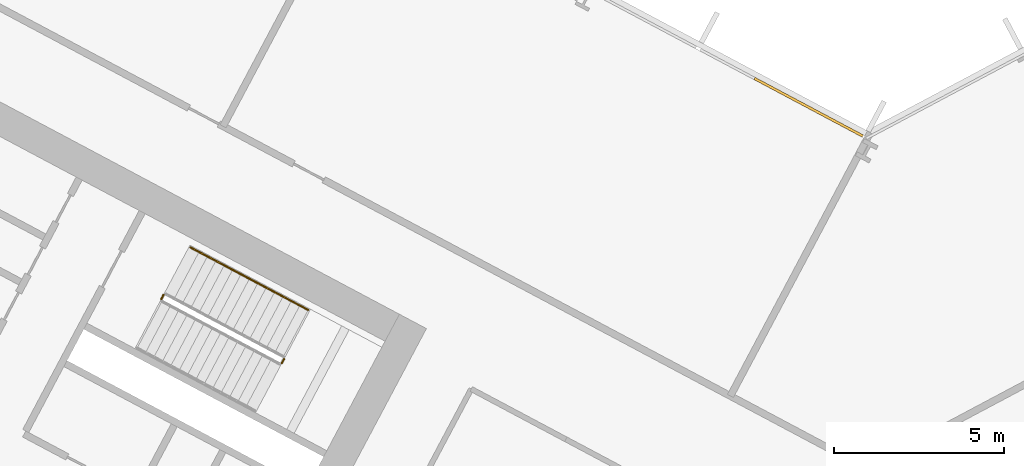
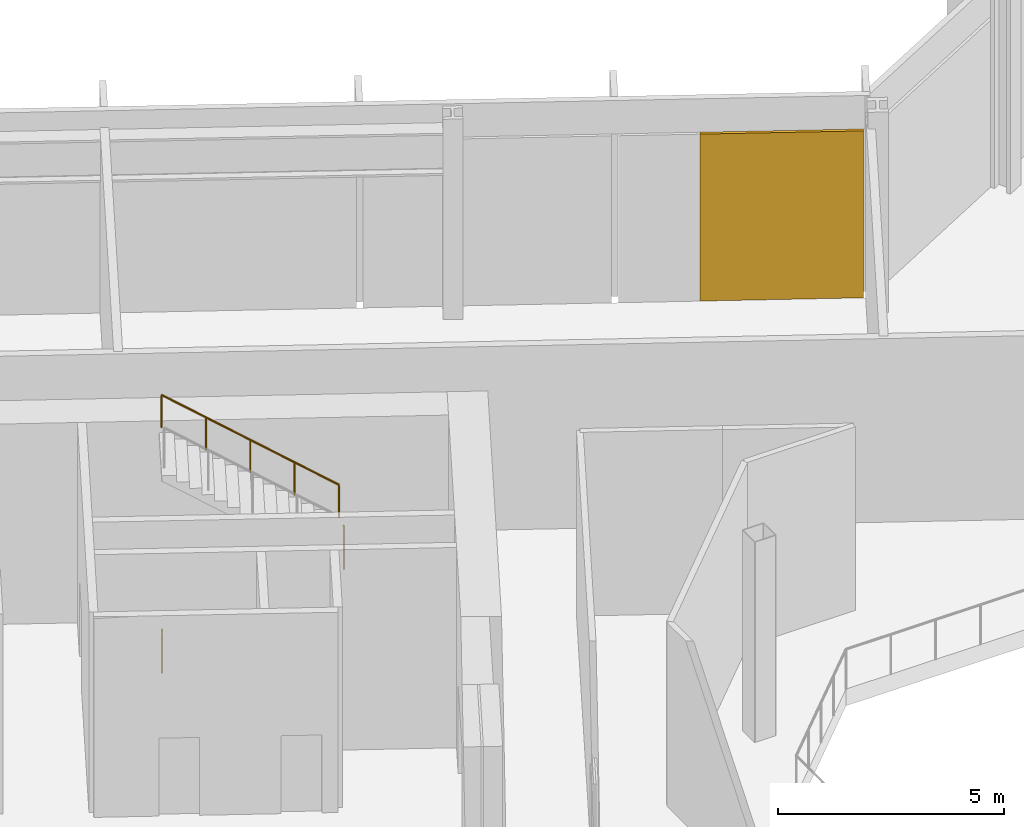
# One storey, part 24 of 30: 3 railings, 1 covering, 1 element without a shape of its own.
"""IFC4 building model written with IfcOpenShell, lengths in metres."""

import ifcopenshell
import ifcopenshell.guid

model = None  # the IFC model being written
_history = None  # IfcOwnerHistory: only IFC2X3 demands one
_inside = {}  # id of a spatial element -> (the spatial element, [elements in it])
_under = {}  # id of a project, library or spatial element -> (it, [spatial elements below it])
_declared = {}  # id of a project -> (the project, [libraries it declares])
_typed = {}  # id of a type object -> (the type object, [elements of that type])
_made_of = {}  # id of a material, layer set ... -> (it, [elements and type objects made of it])


def new_model(schema):
    """Start an empty IFC model of exactly this schema.

    Asked for "IFC4X3", IfcOpenShell would pick the latest addendum, in which some entities
    have other attributes; the version numbers below select the first issue.
    IFC2X3 requires an IfcOwnerHistory on every rooted entity: one is made here for all.
    """
    global model, _history
    if schema == "IFC4X3":
        model = ifcopenshell.file(schema_version=(4, 3, 0, 0))
    else:
        model = ifcopenshell.file(schema=schema)
    _inside.clear()
    _under.clear()
    _declared.clear()
    _typed.clear()
    _made_of.clear()
    _history = None
    if model.schema == "IFC2X3":
        org = make("IfcOrganization", Name="unknown")
        user = make(
            "IfcPersonAndOrganization",
            ThePerson=make("IfcPerson", FamilyName="unknown"),
            TheOrganization=org,
        )
        app = make(
            "IfcApplication",
            ApplicationDeveloper=org,
            Version="unknown",
            ApplicationFullName="unknown",
            ApplicationIdentifier="unknown",
        )
        _history = make(
            "IfcOwnerHistory",
            OwningUser=user,
            OwningApplication=app,
            ChangeAction="ADDED",
            CreationDate=0,
        )
    return model


def make(cls, **values):
    """One entity of the class cls with the attributes given. An attribute that is None is left unset."""
    return model.create_entity(
        cls, **{name: value for name, value in values.items() if value is not None}
    )


def rooted(cls, **values):
    """An entity with a GlobalId (a new one), such as an element, a storey or a relation."""
    return make(cls, GlobalId=ifcopenshell.guid.new(), OwnerHistory=_history, **values)


def si_unit(unit_type, name, prefix=None):
    """IfcSIUnit, for example si_unit("LENGTHUNIT", "METRE", prefix="MILLI")."""
    return make("IfcSIUnit", UnitType=unit_type, Prefix=prefix, Name=name)


def assignment(units):
    """IfcUnitAssignment: the units of a project."""
    return None if units is None else make("IfcUnitAssignment", Units=units)


def point(xyz):
    """IfcCartesianPoint."""
    return None if xyz is None else make("IfcCartesianPoint", Coordinates=xyz)


def direction(xyz):
    """IfcDirection."""
    return None if xyz is None else make("IfcDirection", DirectionRatios=xyz)


def frame(location, z_axis=None, x_axis=None):
    """IfcAxis2Placement3D, a coordinate frame: its origin and axes. An axis left out is left unset."""
    return make(
        "IfcAxis2Placement3D",
        Location=point(location),
        Axis=direction(z_axis),
        RefDirection=direction(x_axis),
    )


def frame_2d(location, x_axis=None):
    """IfcAxis2Placement2D, a coordinate frame in the plane: its origin and x axis."""
    return make(
        "IfcAxis2Placement2D", Location=point(location), RefDirection=direction(x_axis)
    )


def origin():
    """The frame at (0, 0, 0) with its axes left unset."""
    return frame((0.0, 0.0, 0.0))


def origin_2d():
    """The frame at (0, 0) in the plane with its x axis left unset."""
    return frame_2d((0.0, 0.0))


def place(relative_to, where):
    """IfcLocalPlacement: puts the frame where relative to a parent placement (None: the world)."""
    return make(
        "IfcLocalPlacement", PlacementRelTo=relative_to, RelativePlacement=where
    )


def context(
    kind, dimensions, precision=None, world=None, true_north=None, identifier=None
):
    """IfcGeometricRepresentationContext, for example the 3D "Model" context."""
    return make(
        "IfcGeometricRepresentationContext",
        ContextIdentifier=identifier,
        ContextType=kind,
        CoordinateSpaceDimension=dimensions,
        Precision=precision,
        WorldCoordinateSystem=world,
        TrueNorth=true_north,
    )


def subcontext(parent, identifier, kind, view, scale=None):
    """IfcGeometricRepresentationSubContext, for example "Body" below "Model"."""
    return make(
        "IfcGeometricRepresentationSubContext",
        ContextIdentifier=identifier,
        ContextType=kind,
        ParentContext=parent,
        TargetScale=scale,
        TargetView=view,
    )


def project(units=None, contexts=None):
    """IfcProject with its units and contexts."""
    return rooted(
        "IfcProject",
        Name="project",
        RepresentationContexts=contexts,
        UnitsInContext=assignment(units),
    )


def spatial(cls, under=None, at=None, **own):
    """A site, building, storey or space (cls), placed at a placement, below another one or the project."""
    s = rooted(cls, ObjectPlacement=at, **own)
    if under is not None:
        _under.setdefault(under.id(), (under, []))[1].append(s)
    return s


def polyline(points):
    """IfcPolyline through the points."""
    return make("IfcPolyline", Points=[point(p) for p in points])


def profile(cls, at=None, kind="AREA", **sizes):
    """A parametric profile (cls). Its sizes go by their IFC names, for example OverallWidth=200.0."""
    return make(cls, ProfileType=kind, Position=at, **sizes)


def rectangle(**sizes):
    """IfcRectangleProfileDef."""
    return profile("IfcRectangleProfileDef", **sizes)


def outline(outer, holes=None, kind="AREA"):
    """IfcArbitraryClosedProfileDef: a profile drawn as a closed curve; with holes, ...WithVoids."""
    if holes is None:
        return make("IfcArbitraryClosedProfileDef", ProfileType=kind, OuterCurve=outer)
    return make(
        "IfcArbitraryProfileDefWithVoids",
        ProfileType=kind,
        OuterCurve=outer,
        InnerCurves=holes,
    )


def extrude(swept, where, along, depth):
    """IfcExtrudedAreaSolid: the profile swept, set in the frame where, extruded along a direction by depth."""
    return make(
        "IfcExtrudedAreaSolid",
        SweptArea=swept,
        Position=where,
        ExtrudedDirection=direction(along),
        Depth=depth,
    )


def shape(context_of_items, identifier, shape_type, items):
    """IfcShapeRepresentation: the items that make up one representation, for example the "Body"."""
    return make(
        "IfcShapeRepresentation",
        ContextOfItems=context_of_items,
        RepresentationIdentifier=identifier,
        RepresentationType=shape_type,
        Items=items,
    )


def material(Name=None, Category=None):
    """IfcMaterial."""
    return make("IfcMaterial", Name=Name, Category=Category)


def layer(
    of_material, thickness, ventilated=None, Name=None, Category=None, Priority=None
):
    """IfcMaterialLayer: one layer of a wall or slab, of a material (None: an air gap)."""
    return make(
        "IfcMaterialLayer",
        Material=of_material,
        LayerThickness=thickness,
        IsVentilated=ventilated,
        Name=Name,
        Category=Category,
        Priority=Priority,
    )


def layer_set(layers, Name=None):
    """IfcMaterialLayerSet."""
    return make("IfcMaterialLayerSet", MaterialLayers=layers, LayerSetName=Name)


def made_of(thing, what):
    """Note that an element or type object is made of a material, layer set ...; save() writes the relation."""
    if what is not None:
        _made_of.setdefault(what.id(), (what, []))[1].append(thing)
    return thing


def type_object(cls, material=None, **own):
    """A type object (cls), such as IfcWallType, which elements share."""
    return made_of(rooted(cls, **own), material)


def element(
    cls,
    number,
    at=None,
    inside=None,
    cuts=None,
    type_object=None,
    material=None,
    context=None,
    identifier="Body",
    shape_type=None,
    held_by="IfcProductDefinitionShape",
    body=None,
    shapes=None,
    **own,
):
    """One element of the class cls, such as IfcWall. Its Tag is "e" and its number.

    at: its placement. inside: the storey or other place that contains it. cuts: it is an
    opening in that element (IfcRelVoidsElement). A single representation is given by context,
    identifier, shape_type and body (its items); several are given by shapes. held_by: the class
    of the entity that holds the representations. save() writes the other relations.
    """
    e = rooted(cls, Tag="e%d" % number, ObjectPlacement=at, **own)
    if body is not None:
        shapes = [shape(context, identifier, shape_type, body)]
    if shapes is not None:
        e.Representation = make(held_by, Representations=shapes)
    if inside is not None:
        _inside.setdefault(inside.id(), (inside, []))[1].append(e)
    if cuts is not None:
        rooted(
            "IfcRelVoidsElement", RelatingBuildingElement=cuts, RelatedOpeningElement=e
        )
    if type_object is not None:
        _typed.setdefault(type_object.id(), (type_object, []))[1].append(e)
    return made_of(e, material)


def aggregate(whole, parts):
    """IfcRelAggregates: a whole, such as a stair, and the parts it consists of."""
    return rooted("IfcRelAggregates", RelatingObject=whole, RelatedObjects=parts)


def save(model, path):
    """Write the relations noted so far, then the file.

    IfcRelAggregates (storeys below a building ...), IfcRelContainedInSpatialStructure (elements
    in a storey), IfcRelDefinesByType, IfcRelAssociatesMaterial and IfcRelDeclares: one each for
    every whole, place, type object, material and project.
    """
    for whole, parts in _under.values():
        aggregate(whole, parts)
    for where, things in _inside.values():
        rooted(
            "IfcRelContainedInSpatialStructure",
            RelatedElements=things,
            RelatingStructure=where,
        )
    for kind, things in _typed.values():
        rooted("IfcRelDefinesByType", RelatedObjects=things, RelatingType=kind)
    for what, things in _made_of.values():
        rooted("IfcRelAssociatesMaterial", RelatedObjects=things, RelatingMaterial=what)
    for by, libraries in _declared.values():
        rooted("IfcRelDeclares", RelatingContext=by, RelatedDefinitions=libraries)
    model.write(path)


model = new_model("IFC4")

# Units and contexts
model_context = context("Model", 3, precision=1e-05, world=origin(), true_north=direction((0.0, 1.0)))
body_context = subcontext(model_context, "Body", "Model", "MODEL_VIEW")
ifc_project = project(units=[si_unit("LENGTHUNIT", "METRE"), si_unit("AREAUNIT", "SQUARE_METRE"), si_unit("VOLUMEUNIT", "CUBIC_METRE"), si_unit("PLANEANGLEUNIT", "RADIAN"), si_unit("MASSUNIT", "GRAM", prefix="KILO")], contexts=[model_context])

# Site, building, storey
site_placement = place(None, origin())
site = spatial("IfcSite", under=ifc_project, at=site_placement, CompositionType="ELEMENT")
building_placement = place(site_placement, origin())
building = spatial("IfcBuilding", under=site, at=building_placement, Name="Cormorant Relay Tower", CompositionType="ELEMENT")
storey_placement = place(building_placement, frame((0.0, 0.0, 44.60009765625)))
storey = spatial("IfcBuildingStorey", under=building, at=storey_placement, Name="L08", CompositionType="ELEMENT", Elevation=44.60009765625)

# Curtain wall, covering
ifc_material_1 = material(Name="Aluminium 6063-T6 anodised bronze", Category="aluminium")
ifc_layer_1 = layer(ifc_material_1, 0.235107421875)
ifc_layer_set_1 = layer_set([ifc_layer_1], Name="CW6 data hall curtain wall with mineral wool panels")
curtain_wall_type = type_object("IfcCurtainWallType", Name="CW6 data hall curtain wall with mineral wool panels", PredefinedType="NOTDEFINED", material=ifc_layer_set_1)
curtain_wall_placement = place(storey_placement, origin())
curtain_wall = element("IfcCurtainWall", 1, at=curtain_wall_placement, inside=storey, type_object=curtain_wall_type, Name="CW6 curtain wall 7", PredefinedType="NOTDEFINED")
ifc_material_2 = material(Name="Mineral wool cored anodised bronze aluminium cassette panel", Category="aluminium")
ifc_layer_2 = layer(ifc_material_2, 0.074951171875)
ifc_layer_set_2 = layer_set([ifc_layer_2], Name="CW6 mineral wool cassette panel 75")
covering_type = type_object("IfcCoveringType", Name="CW6 mineral wool cassette panel 75", PredefinedType="CLADDING", material=ifc_layer_set_2)
covering_placement = place(storey_placement, frame((-1.710205078125, 24.73583984375, 0.0), z_axis=(0.0, 0.0, 1.0), x_axis=(-0.882947592859, 0.469471562786, 0.0)))
covering = element("IfcCovering", 2, at=covering_placement, type_object=covering_type, Name="CW6 panel S00", PredefinedType="CLADDING", context=body_context, shape_type="SweptSolid", body=[
    extrude(rectangle(XDim=3.614013671875, YDim=0.074951171875, at=origin_2d()), origin(), (0.0, 0.0, 1.0), 4.5),
])
aggregate(curtain_wall, [covering])

# Railings
ifc_material_3 = material(Name="Steel ASTM A572 Grade 50 (Fy 345 MPa)", Category="steel")
railing_type_1 = type_object("IfcRailingType", Name="Stair guard 1100", PredefinedType="GUARDRAIL", material=ifc_material_3)
railing_1_placement = place(storey_placement, frame((-17.2216796875, 17.1982421875, 2.699951171875)))
element("IfcRailing", 3, at=railing_1_placement, inside=storey, type_object=railing_type_1, Name="L08 A1 stair guard 2", PredefinedType="GUARDRAIL", context=body_context, shape_type="SweptSolid", body=[
    extrude(outline(polyline([(0.022216796875, 0.00927734375), (0.00927734375, 0.022216796875), (-0.00927734375, 0.022216796875), (-0.022216796875, 0.00927734375), (-0.022216796875, -0.00927734375), (-0.00927734375, -0.022216796875), (0.00927734375, -0.022216796875), (0.022216796875, -0.00927734375), (0.022216796875, 0.00927734375)])), frame((0.0, 0.0, 1.076171875), z_axis=(0.469234640946, 0.883073525669, 0.0), x_axis=(-0.883073525669, 0.469234640946, 0.0)), (0.0, 0.0, 1.0), 0.14990234375),
    extrude(outline(polyline([(0.019287109375, 0.008056640625), (0.008056640625, 0.019287109375), (-0.008056640625, 0.019287109375), (-0.019287109375, 0.008056640625), (-0.019287109375, -0.008056640625), (-0.008056640625, -0.019287109375), (0.008056640625, -0.019287109375), (0.019287109375, -0.008056640625), (0.019287109375, 0.008056640625)])), origin(), (0.0, 0.0, 1.0), 1.052001953125),
    extrude(outline(polyline([(0.019287109375, 0.008056640625), (0.008056640625, 0.019287109375), (-0.008056640625, 0.019287109375), (-0.019287109375, 0.008056640625), (-0.019287109375, -0.008056640625), (-0.008056640625, -0.019287109375), (0.008056640625, -0.019287109375), (0.019287109375, -0.008056640625), (0.019287109375, 0.008056640625)])), frame((0.0703125, 0.13232421875, 0.0)), (0.0, 0.0, 1.0), 1.052001953125),
])
railing_2_placement = place(storey_placement, frame((-20.771240234375, 19.08544921875, 0.0)))
element("IfcRailing", 4, at=railing_2_placement, inside=storey, type_object=railing_type_1, Name="L08 A1 stair guard 4", PredefinedType="GUARDRAIL", context=body_context, shape_type="SweptSolid", body=[
    extrude(outline(polyline([(0.022216796875, 0.00927734375), (0.00927734375, 0.022216796875), (-0.00927734375, 0.022216796875), (-0.022216796875, 0.00927734375), (-0.022216796875, -0.00927734375), (-0.00927734375, -0.022216796875), (0.00927734375, -0.022216796875), (0.022216796875, -0.00927734375), (0.022216796875, 0.00927734375)])), frame((0.0, 0.0, 1.076171875), z_axis=(0.469828648786, 0.882757634224, 0.0), x_axis=(-0.882757634224, 0.469828648786, 0.0)), (0.0, 0.0, 1.0), 0.150146484375),
    extrude(outline(polyline([(0.019287109375, 0.008056640625), (0.008056640625, 0.019287109375), (-0.008056640625, 0.019287109375), (-0.019287109375, 0.008056640625), (-0.019287109375, -0.008056640625), (-0.008056640625, -0.019287109375), (0.008056640625, -0.019287109375), (0.019287109375, -0.008056640625), (0.019287109375, 0.008056640625)])), origin(), (0.0, 0.0, 1.0), 1.052001953125),
    extrude(outline(polyline([(0.019287109375, 0.008056640625), (0.008056640625, 0.019287109375), (-0.008056640625, 0.019287109375), (-0.019287109375, 0.008056640625), (-0.019287109375, -0.008056640625), (-0.008056640625, -0.019287109375), (0.008056640625, -0.019287109375), (0.019287109375, -0.008056640625), (0.019287109375, 0.008056640625)])), frame((0.070556640625, 0.132568359375, 0.0)), (0.0, 0.0, 1.0), 1.052001953125),
])
ifc_material_4 = material(Name="Steel ASTM A572 Grade 50 (Fy 345 MPa)", Category="steel")
railing_type_2 = type_object("IfcRailingType", Name="Stair handrail 900", PredefinedType="HANDRAIL", material=ifc_material_4)
railing_3_placement = place(storey_placement, frame((-16.4443359375, 18.766845703125, 2.8798828125)))
element("IfcRailing", 5, at=railing_3_placement, inside=storey, type_object=railing_type_2, Name="L08 A1 stair handrail 2", PredefinedType="HANDRAIL", context=body_context, shape_type="SweptSolid", body=[
    extrude(outline(polyline([(0.022216796875, 0.00927734375), (0.00927734375, 0.022216796875), (-0.00927734375, 0.022216796875), (-0.022216796875, 0.00927734375), (-0.022216796875, -0.00927734375), (-0.00927734375, -0.022216796875), (0.00927734375, -0.022216796875), (0.022216796875, -0.00927734375), (0.022216796875, 0.00927734375)])), frame((0.0, 0.0, 0.8759765625), z_axis=(-0.74271721126, 0.394907409077, 0.540758062681), x_axis=(-0.469469396681, -0.882948744594, 0.0)), (0.0, 0.0, 1.0), 4.66015625),
    extrude(outline(polyline([(0.019287109375, 0.008056640625), (0.008056640625, 0.019287109375), (-0.008056640625, 0.019287109375), (-0.019287109375, 0.008056640625), (-0.019287109375, -0.008056640625), (-0.008056640625, -0.019287109375), (0.008056640625, -0.019287109375), (0.019287109375, -0.008056640625), (0.019287109375, 0.008056640625)])), origin(), (0.0, 0.0, 1.0), 0.851806640625),
    extrude(outline(polyline([(0.019287109375, 0.008056640625), (0.008056640625, 0.019287109375), (-0.008056640625, 0.019287109375), (-0.019287109375, 0.008056640625), (-0.019287109375, -0.008056640625), (-0.008056640625, -0.019287109375), (0.008056640625, -0.019287109375), (0.019287109375, -0.008056640625), (0.019287109375, 0.008056640625)])), frame((-0.865234375, 0.4599609375, 0.6298828125)), (0.0, 0.0, 1.0), 0.851806640625),
    extrude(outline(polyline([(0.019287109375, 0.008056640625), (0.008056640625, 0.019287109375), (-0.008056640625, 0.019287109375), (-0.019287109375, 0.008056640625), (-0.019287109375, -0.008056640625), (-0.008056640625, -0.019287109375), (0.008056640625, -0.019287109375), (0.019287109375, -0.008056640625), (0.019287109375, 0.008056640625)])), frame((-1.73046875, 0.920166015625, 1.260009765625)), (0.0, 0.0, 1.0), 0.851806640625),
    extrude(outline(polyline([(0.019287109375, 0.008056640625), (0.008056640625, 0.019287109375), (-0.008056640625, 0.019287109375), (-0.019287109375, 0.008056640625), (-0.019287109375, -0.008056640625), (-0.008056640625, -0.019287109375), (0.008056640625, -0.019287109375), (0.019287109375, -0.008056640625), (0.019287109375, 0.008056640625)])), frame((-2.595947265625, 1.38037109375, 1.89013671875)), (0.0, 0.0, 1.0), 0.851806640625),
    extrude(outline(polyline([(0.019287109375, 0.008056640625), (0.008056640625, 0.019287109375), (-0.008056640625, 0.019287109375), (-0.019287109375, 0.008056640625), (-0.019287109375, -0.008056640625), (-0.008056640625, -0.019287109375), (0.008056640625, -0.019287109375), (0.019287109375, -0.008056640625), (0.019287109375, 0.008056640625)])), frame((-3.461181640625, 1.84033203125, 2.52001953125)), (0.0, 0.0, 1.0), 0.851806640625),
])

save(model, "model.ifc")
